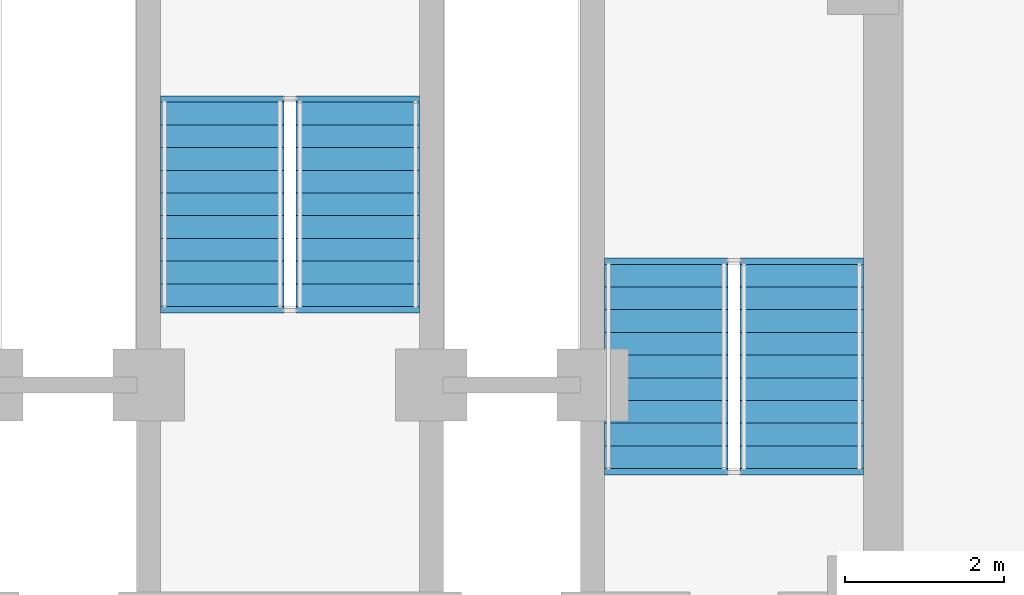
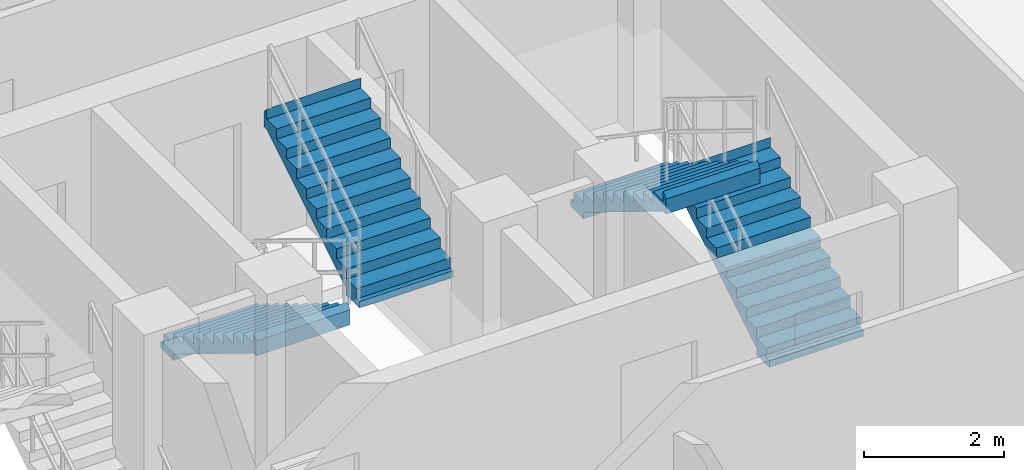
# One storey, part 4 of 5: 4 stair flights, 2 elements without a shape of their own.
"""IFC4 building model written with IfcOpenShell, lengths in metres."""

import ifcopenshell
import ifcopenshell.guid

model = None  # the IFC model being written
_history = None  # IfcOwnerHistory: only IFC2X3 demands one
_inside = {}  # id of a spatial element -> (the spatial element, [elements in it])
_under = {}  # id of a project, library or spatial element -> (it, [spatial elements below it])
_declared = {}  # id of a project -> (the project, [libraries it declares])
_typed = {}  # id of a type object -> (the type object, [elements of that type])
_made_of = {}  # id of a material, layer set ... -> (it, [elements and type objects made of it])


def new_model(schema):
    """Start an empty IFC model of exactly this schema.

    Asked for "IFC4X3", IfcOpenShell would pick the latest addendum, in which some entities
    have other attributes; the version numbers below select the first issue.
    IFC2X3 requires an IfcOwnerHistory on every rooted entity: one is made here for all.
    """
    global model, _history
    if schema == "IFC4X3":
        model = ifcopenshell.file(schema_version=(4, 3, 0, 0))
    else:
        model = ifcopenshell.file(schema=schema)
    _inside.clear()
    _under.clear()
    _declared.clear()
    _typed.clear()
    _made_of.clear()
    _history = None
    if model.schema == "IFC2X3":
        org = make("IfcOrganization", Name="unknown")
        user = make(
            "IfcPersonAndOrganization",
            ThePerson=make("IfcPerson", FamilyName="unknown"),
            TheOrganization=org,
        )
        app = make(
            "IfcApplication",
            ApplicationDeveloper=org,
            Version="unknown",
            ApplicationFullName="unknown",
            ApplicationIdentifier="unknown",
        )
        _history = make(
            "IfcOwnerHistory",
            OwningUser=user,
            OwningApplication=app,
            ChangeAction="ADDED",
            CreationDate=0,
        )
    return model


def make(cls, **values):
    """One entity of the class cls with the attributes given. An attribute that is None is left unset."""
    return model.create_entity(
        cls, **{name: value for name, value in values.items() if value is not None}
    )


def rooted(cls, **values):
    """An entity with a GlobalId (a new one), such as an element, a storey or a relation."""
    return make(cls, GlobalId=ifcopenshell.guid.new(), OwnerHistory=_history, **values)


def si_unit(unit_type, name, prefix=None):
    """IfcSIUnit, for example si_unit("LENGTHUNIT", "METRE", prefix="MILLI")."""
    return make("IfcSIUnit", UnitType=unit_type, Prefix=prefix, Name=name)


def assignment(units):
    """IfcUnitAssignment: the units of a project."""
    return None if units is None else make("IfcUnitAssignment", Units=units)


def point(xyz):
    """IfcCartesianPoint."""
    return None if xyz is None else make("IfcCartesianPoint", Coordinates=xyz)


def direction(xyz):
    """IfcDirection."""
    return None if xyz is None else make("IfcDirection", DirectionRatios=xyz)


def frame(location, z_axis=None, x_axis=None):
    """IfcAxis2Placement3D, a coordinate frame: its origin and axes. An axis left out is left unset."""
    return make(
        "IfcAxis2Placement3D",
        Location=point(location),
        Axis=direction(z_axis),
        RefDirection=direction(x_axis),
    )


def origin():
    """The frame at (0, 0, 0) with its axes left unset."""
    return frame((0.0, 0.0, 0.0))


def place(relative_to, where):
    """IfcLocalPlacement: puts the frame where relative to a parent placement (None: the world)."""
    return make(
        "IfcLocalPlacement", PlacementRelTo=relative_to, RelativePlacement=where
    )


def context(
    kind, dimensions, precision=None, world=None, true_north=None, identifier=None
):
    """IfcGeometricRepresentationContext, for example the 3D "Model" context."""
    return make(
        "IfcGeometricRepresentationContext",
        ContextIdentifier=identifier,
        ContextType=kind,
        CoordinateSpaceDimension=dimensions,
        Precision=precision,
        WorldCoordinateSystem=world,
        TrueNorth=true_north,
    )


def subcontext(parent, identifier, kind, view, scale=None):
    """IfcGeometricRepresentationSubContext, for example "Body" below "Model"."""
    return make(
        "IfcGeometricRepresentationSubContext",
        ContextIdentifier=identifier,
        ContextType=kind,
        ParentContext=parent,
        TargetScale=scale,
        TargetView=view,
    )


def project(units=None, contexts=None):
    """IfcProject with its units and contexts."""
    return rooted(
        "IfcProject",
        Name="project",
        RepresentationContexts=contexts,
        UnitsInContext=assignment(units),
    )


def spatial(cls, under=None, at=None, **own):
    """A site, building, storey or space (cls), placed at a placement, below another one or the project."""
    s = rooted(cls, ObjectPlacement=at, **own)
    if under is not None:
        _under.setdefault(under.id(), (under, []))[1].append(s)
    return s


def polyline(points):
    """IfcPolyline through the points."""
    return make("IfcPolyline", Points=[point(p) for p in points])


def outline(outer, holes=None, kind="AREA"):
    """IfcArbitraryClosedProfileDef: a profile drawn as a closed curve; with holes, ...WithVoids."""
    if holes is None:
        return make("IfcArbitraryClosedProfileDef", ProfileType=kind, OuterCurve=outer)
    return make(
        "IfcArbitraryProfileDefWithVoids",
        ProfileType=kind,
        OuterCurve=outer,
        InnerCurves=holes,
    )


def extrude(swept, where, along, depth):
    """IfcExtrudedAreaSolid: the profile swept, set in the frame where, extruded along a direction by depth."""
    return make(
        "IfcExtrudedAreaSolid",
        SweptArea=swept,
        Position=where,
        ExtrudedDirection=direction(along),
        Depth=depth,
    )


def shape(context_of_items, identifier, shape_type, items):
    """IfcShapeRepresentation: the items that make up one representation, for example the "Body"."""
    return make(
        "IfcShapeRepresentation",
        ContextOfItems=context_of_items,
        RepresentationIdentifier=identifier,
        RepresentationType=shape_type,
        Items=items,
    )


def material(Name=None, Category=None):
    """IfcMaterial."""
    return make("IfcMaterial", Name=Name, Category=Category)


def made_of(thing, what):
    """Note that an element or type object is made of a material, layer set ...; save() writes the relation."""
    if what is not None:
        _made_of.setdefault(what.id(), (what, []))[1].append(thing)
    return thing


def type_object(cls, material=None, **own):
    """A type object (cls), such as IfcWallType, which elements share."""
    return made_of(rooted(cls, **own), material)


def element(
    cls,
    number,
    at=None,
    inside=None,
    cuts=None,
    type_object=None,
    material=None,
    context=None,
    identifier="Body",
    shape_type=None,
    held_by="IfcProductDefinitionShape",
    body=None,
    shapes=None,
    **own,
):
    """One element of the class cls, such as IfcWall. Its Tag is "e" and its number.

    at: its placement. inside: the storey or other place that contains it. cuts: it is an
    opening in that element (IfcRelVoidsElement). A single representation is given by context,
    identifier, shape_type and body (its items); several are given by shapes. held_by: the class
    of the entity that holds the representations. save() writes the other relations.
    """
    e = rooted(cls, Tag="e%d" % number, ObjectPlacement=at, **own)
    if body is not None:
        shapes = [shape(context, identifier, shape_type, body)]
    if shapes is not None:
        e.Representation = make(held_by, Representations=shapes)
    if inside is not None:
        _inside.setdefault(inside.id(), (inside, []))[1].append(e)
    if cuts is not None:
        rooted(
            "IfcRelVoidsElement", RelatingBuildingElement=cuts, RelatedOpeningElement=e
        )
    if type_object is not None:
        _typed.setdefault(type_object.id(), (type_object, []))[1].append(e)
    return made_of(e, material)


def aggregate(whole, parts):
    """IfcRelAggregates: a whole, such as a stair, and the parts it consists of."""
    return rooted("IfcRelAggregates", RelatingObject=whole, RelatedObjects=parts)


def save(model, path):
    """Write the relations noted so far, then the file.

    IfcRelAggregates (storeys below a building ...), IfcRelContainedInSpatialStructure (elements
    in a storey), IfcRelDefinesByType, IfcRelAssociatesMaterial and IfcRelDeclares: one each for
    every whole, place, type object, material and project.
    """
    for whole, parts in _under.values():
        aggregate(whole, parts)
    for where, things in _inside.values():
        rooted(
            "IfcRelContainedInSpatialStructure",
            RelatedElements=things,
            RelatingStructure=where,
        )
    for kind, things in _typed.values():
        rooted("IfcRelDefinesByType", RelatedObjects=things, RelatingType=kind)
    for what, things in _made_of.values():
        rooted("IfcRelAssociatesMaterial", RelatedObjects=things, RelatingMaterial=what)
    for by, libraries in _declared.values():
        rooted("IfcRelDeclares", RelatingContext=by, RelatedDefinitions=libraries)
    model.write(path)


model = new_model("IFC4")

# Units and contexts
model_context = context("Model", 3, precision=1e-05, world=origin(), true_north=direction((0.0, 1.0)))
body_context = subcontext(model_context, "Body", "Model", "MODEL_VIEW")
ifc_project = project(units=[si_unit("LENGTHUNIT", "METRE"), si_unit("AREAUNIT", "SQUARE_METRE"), si_unit("VOLUMEUNIT", "CUBIC_METRE"), si_unit("PLANEANGLEUNIT", "RADIAN"), si_unit("MASSUNIT", "GRAM", prefix="KILO")], contexts=[model_context])

# Site, building, storey
site_placement = place(None, origin())
site = spatial("IfcSite", under=ifc_project, at=site_placement, CompositionType="ELEMENT")
building_placement = place(site_placement, origin())
building = spatial("IfcBuilding", under=site, at=building_placement, Name="Apsidion Concourse Tower", CompositionType="ELEMENT")
storey_placement = place(building_placement, frame((0.0, 0.0, 339.5)))
storey = spatial("IfcBuildingStorey", under=building, at=storey_placement, Name="L80", CompositionType="ELEMENT", Elevation=339.5)

# Stair, stair flights
ifc_material = material(Name="Precast concrete C40/50", Category="concrete")
stair_type = type_object("IfcStairType", Name="ST-DL-1550", PredefinedType="HALF_TURN_STAIR", material=ifc_material)
stair_1_placement = place(storey_placement, origin())
stair_1 = element("IfcStair", 1, at=stair_1_placement, inside=storey, type_object=stair_type, Name="L80 Protected Core Exit Stair ST2", PredefinedType="HALF_TURN_STAIR")
stair_flight_type = type_object("IfcStairFlightType", Name="SFL-RC-1550", PredefinedType="STRAIGHT", material=ifc_material)
stair_flight_1_placement = place(storey_placement, frame((6.425048828125, 3.0, 0.0), z_axis=(0.0, 0.0, 1.0), x_axis=(0.0, 1.0, 0.0)))
stair_flight_1 = element("IfcStairFlight", 2, at=stair_flight_1_placement, type_object=stair_flight_type, Name="ST2 flight 1", NumberOfRisers=10, NumberOfTreads=9, PredefinedType="STRAIGHT", RiserHeight=0.175, TreadLength=0.285, context=body_context, shape_type="SweptSolid", body=[
    extrude(outline(polyline([(-0.080078125, -0.1123046875), (-0.080078125, 0.0), (0.0, 0.0), (0.0, 0.175048828125), (0.284912109375, 0.175048828125), (0.284912109375, 0.35009765625), (0.570068359375, 0.35009765625), (0.570068359375, 0.52490234375), (0.85498046875, 0.52490234375), (0.85498046875, 0.699951171875), (1.139892578125, 0.699951171875), (1.139892578125, 0.875), (1.425048828125, 0.875), (1.425048828125, 1.050048828125), (1.7099609375, 1.050048828125), (1.7099609375, 1.22509765625), (1.9951171875, 1.22509765625), (1.9951171875, 1.39990234375), (2.280029296875, 1.39990234375), (2.280029296875, 1.574951171875), (2.56494140625, 1.574951171875), (2.56494140625, 1.75), (2.64501953125, 1.66259765625), (2.64501953125, 1.399169921875), (2.56494140625, 1.399169921875), (0.286376953125, 0.0), (0.286376953125, -0.1123046875), (-0.080078125, -0.1123046875)])), frame((0.0, 0.77490234375, 0.0), z_axis=(0.0, -1.0, 0.0), x_axis=(1.0, 0.0, 0.0)), (0.0, 0.0, 1.0), 1.550048828125),
])
stair_flight_2_placement = place(storey_placement, frame((4.72509765625, 5.56494140625, 1.75), z_axis=(0.0, 0.0, 1.0), x_axis=(0.0, -1.0, 0.0)))
stair_flight_2 = element("IfcStairFlight", 3, at=stair_flight_2_placement, type_object=stair_flight_type, Name="ST2 flight 2", NumberOfRisers=10, NumberOfTreads=9, PredefinedType="STRAIGHT", RiserHeight=0.175, TreadLength=0.285, context=body_context, shape_type="SweptSolid", body=[
    extrude(outline(polyline([(-0.080078125, -0.1123046875), (-0.080078125, 0.0), (0.0, 0.0), (0.0, 0.175048828125), (0.284912109375, 0.175048828125), (0.284912109375, 0.35009765625), (0.570068359375, 0.35009765625), (0.570068359375, 0.52490234375), (0.85498046875, 0.52490234375), (0.85498046875, 0.699951171875), (1.139892578125, 0.699951171875), (1.139892578125, 0.875), (1.425048828125, 0.875), (1.425048828125, 1.050048828125), (1.7099609375, 1.050048828125), (1.7099609375, 1.22509765625), (1.9951171875, 1.22509765625), (1.9951171875, 1.39990234375), (2.280029296875, 1.39990234375), (2.280029296875, 1.574951171875), (2.56494140625, 1.574951171875), (2.56494140625, 1.75), (2.64501953125, 1.66259765625), (2.64501953125, 1.399169921875), (2.56494140625, 1.399169921875), (0.286376953125, 0.0), (0.286376953125, -0.1123046875), (-0.080078125, -0.1123046875)])), frame((0.0, 0.77490234375, 0.0), z_axis=(0.0, -1.0, 0.0), x_axis=(1.0, 0.0, 0.0)), (0.0, 0.0, 1.0), 1.550048828125),
])
aggregate(stair_1, [stair_flight_1, stair_flight_2])

stair_2_placement = place(storey_placement, origin())
stair_2 = element("IfcStair", 4, at=stair_2_placement, inside=storey, type_object=stair_type, Name="L80 Protected Core Exit Stair ST3", PredefinedType="HALF_TURN_STAIR")
stair_flight_3_placement = place(storey_placement, frame((-0.85009765625, 7.60009765625, 0.0), z_axis=(0.0, 0.0, 1.0), x_axis=(0.0, -1.0, 0.0)))
stair_flight_3 = element("IfcStairFlight", 5, at=stair_flight_3_placement, type_object=stair_flight_type, Name="ST3 flight 1", NumberOfRisers=10, NumberOfTreads=9, PredefinedType="STRAIGHT", RiserHeight=0.175, TreadLength=0.285, context=body_context, shape_type="SweptSolid", body=[
    extrude(outline(polyline([(-0.080078125, -0.1123046875), (-0.080078125, 0.0), (0.0, 0.0), (0.0, 0.175048828125), (0.284912109375, 0.175048828125), (0.284912109375, 0.35009765625), (0.570068359375, 0.35009765625), (0.570068359375, 0.52490234375), (0.85498046875, 0.52490234375), (0.85498046875, 0.699951171875), (1.139892578125, 0.699951171875), (1.139892578125, 0.875), (1.425048828125, 0.875), (1.425048828125, 1.050048828125), (1.7099609375, 1.050048828125), (1.7099609375, 1.22509765625), (1.9951171875, 1.22509765625), (1.9951171875, 1.39990234375), (2.280029296875, 1.39990234375), (2.280029296875, 1.574951171875), (2.56494140625, 1.574951171875), (2.56494140625, 1.75), (2.64501953125, 1.66259765625), (2.64501953125, 1.399169921875), (2.56494140625, 1.399169921875), (0.286376953125, 0.0), (0.286376953125, -0.1123046875), (-0.080078125, -0.1123046875)])), frame((0.0, 0.77490234375, 0.0), z_axis=(0.0, -1.0, 0.0), x_axis=(1.0, 0.0, 0.0)), (0.0, 0.0, 1.0), 1.550048828125),
])
stair_flight_4_placement = place(storey_placement, frame((0.85009765625, 5.034912109375, 1.75), z_axis=(0.0, 0.0, 1.0), x_axis=(0.0, 1.0, 0.0)))
stair_flight_4 = element("IfcStairFlight", 6, at=stair_flight_4_placement, type_object=stair_flight_type, Name="ST3 flight 2", NumberOfRisers=10, NumberOfTreads=9, PredefinedType="STRAIGHT", RiserHeight=0.175, TreadLength=0.285, context=body_context, shape_type="SweptSolid", body=[
    extrude(outline(polyline([(-0.080078125, -0.1123046875), (-0.080078125, 0.0), (0.0, 0.0), (0.0, 0.175048828125), (0.284912109375, 0.175048828125), (0.284912109375, 0.35009765625), (0.570068359375, 0.35009765625), (0.570068359375, 0.52490234375), (0.85498046875, 0.52490234375), (0.85498046875, 0.699951171875), (1.139892578125, 0.699951171875), (1.139892578125, 0.875), (1.425048828125, 0.875), (1.425048828125, 1.050048828125), (1.7099609375, 1.050048828125), (1.7099609375, 1.22509765625), (1.9951171875, 1.22509765625), (1.9951171875, 1.39990234375), (2.280029296875, 1.39990234375), (2.280029296875, 1.574951171875), (2.56494140625, 1.574951171875), (2.56494140625, 1.75), (2.64501953125, 1.66259765625), (2.64501953125, 1.399169921875), (2.56494140625, 1.399169921875), (0.286376953125, 0.0), (0.286376953125, -0.1123046875), (-0.080078125, -0.1123046875)])), frame((0.0, 0.77490234375, 0.0), z_axis=(0.0, -1.0, 0.0), x_axis=(1.0, 0.0, 0.0)), (0.0, 0.0, 1.0), 1.550048828125),
])
aggregate(stair_2, [stair_flight_3, stair_flight_4])

save(model, "model.ifc")
